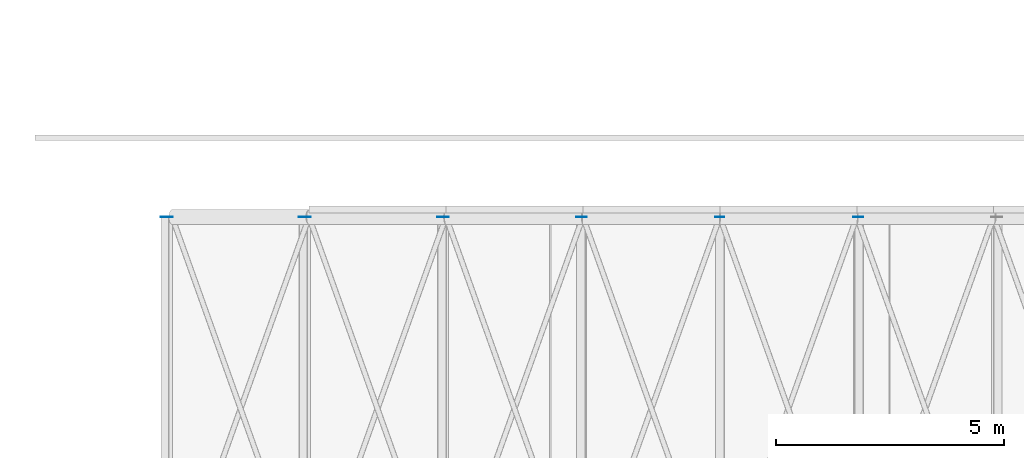
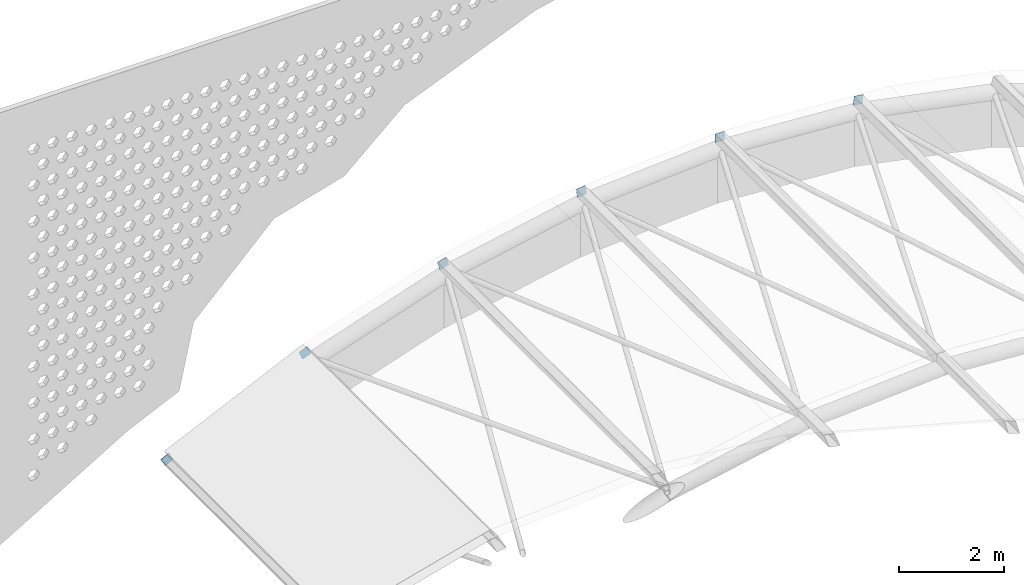
# One storey, part 41 of 54: 6 discrete accessories.
"""IFC4 building model written with IfcOpenShell, lengths in metres."""

from ifc_helpers import new_model, si_unit, direction, frame, origin, origin_2d, place, context, subcontext, project, spatial, rectangle, extrude, material, type_object, element, save


model = new_model("IFC4")

# Units and contexts
model_context = context("Model", 3, precision=1e-05, world=origin(), true_north=direction((0.0, 1.0)))
body_context = subcontext(model_context, "Body", "Model", "MODEL_VIEW")
ifc_project = project(units=[si_unit("LENGTHUNIT", "METRE"), si_unit("AREAUNIT", "SQUARE_METRE"), si_unit("VOLUMEUNIT", "CUBIC_METRE"), si_unit("PLANEANGLEUNIT", "RADIAN"), si_unit("MASSUNIT", "GRAM", prefix="KILO")], contexts=[model_context])

# Site, building, storey
site_placement = place(None, origin())
site = spatial("IfcSite", under=ifc_project, at=site_placement, CompositionType="ELEMENT")
building_placement = place(site_placement, origin())
building = spatial("IfcBuilding", under=site, at=building_placement, Name="Baradari Gate Terminus", CompositionType="ELEMENT")
storey_placement = place(building_placement, frame((0.0, 0.0, 15.89990234375)))
storey = spatial("IfcBuildingStorey", under=building, at=storey_placement, Name="L03", CompositionType="ELEMENT", Elevation=15.89990234375)

# Discrete accessories
ifc_material = material(Name="Steel S355", Category="steel")
discrete_accessory_type = type_object("IfcDiscreteAccessoryType", Name="Hollow section end plate EP-1 200x200x10", PredefinedType="ANCHORPLATE", material=ifc_material)
for number, where, z_axis, x_axis, name in (
    (1, (140.8828125, 107.39990234375, 0.14306640625), (0.0, 1.0, 0.0), (-0.883026855482, 0.0, -0.469322461106), "End plate EP-1 at the end of TR/L03/VP3-PU02"),
    (2, (143.907470703125, 107.39990234375, 1.554443359375), (0.0, 1.0, 0.0), (-0.928965199535, 0.0, -0.370167067759), "End plate EP-1 at the end of TR/L03/VP3-PU03"),
    (3, (146.935791015625, 107.39990234375, 2.56396484375), (0.0, 1.0, 0.0), (-0.966499648767, 0.0, -0.256667935149), "End plate EP-1 at the end of TR/L03/VP3-PU04"),
    (4, (149.967041015625, 107.39990234375, 3.170166015625), (0.0, 1.0, 0.0), (-0.99130302961, 0.0, -0.131599025396), "End plate EP-1 at the end of TR/L03/VP3-PU05"),
    (5, (153.0, 107.39990234375, 3.372314453125), (0.0, 1.0, 0.0), (-1.0, 0.0, 0.0), "End plate EP-1 at the end of TR/L03/VP3-PU06"),
    (6, (156.032958984375, 107.39990234375, 3.170166015625), (0.0, 1.0, 0.0), (-0.99130302961, 0.0, 0.131599025396), "End plate EP-1 at the end of TR/L03/VP3-PU07"),
):
    element("IfcDiscreteAccessory", number, at=place(storey_placement, frame(where, z_axis=z_axis, x_axis=x_axis)), inside=storey, type_object=discrete_accessory_type, Name=name, PredefinedType="ANCHORPLATE", context=body_context, shape_type="SweptSolid", body=[
        extrude(rectangle(XDim=0.199951171875, YDim=0.199951171875, at=origin_2d()), origin(), (0.0, 0.0, 1.0), 0.010009765625),
    ])

save(model, "model.ifc")
